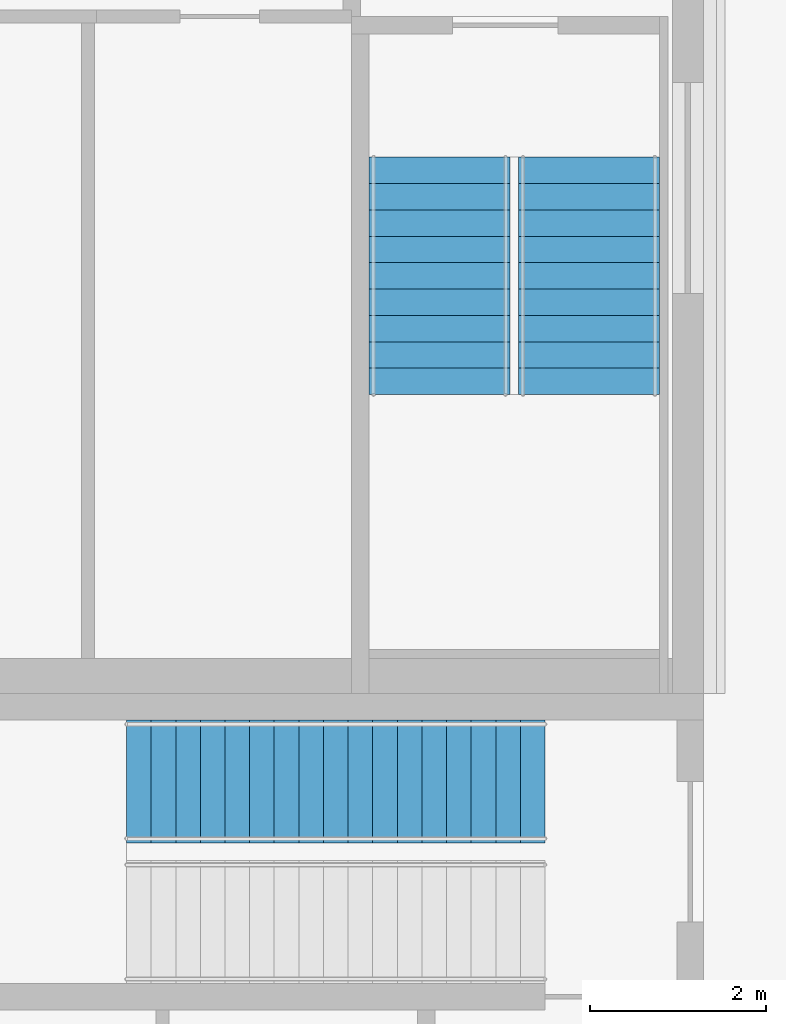
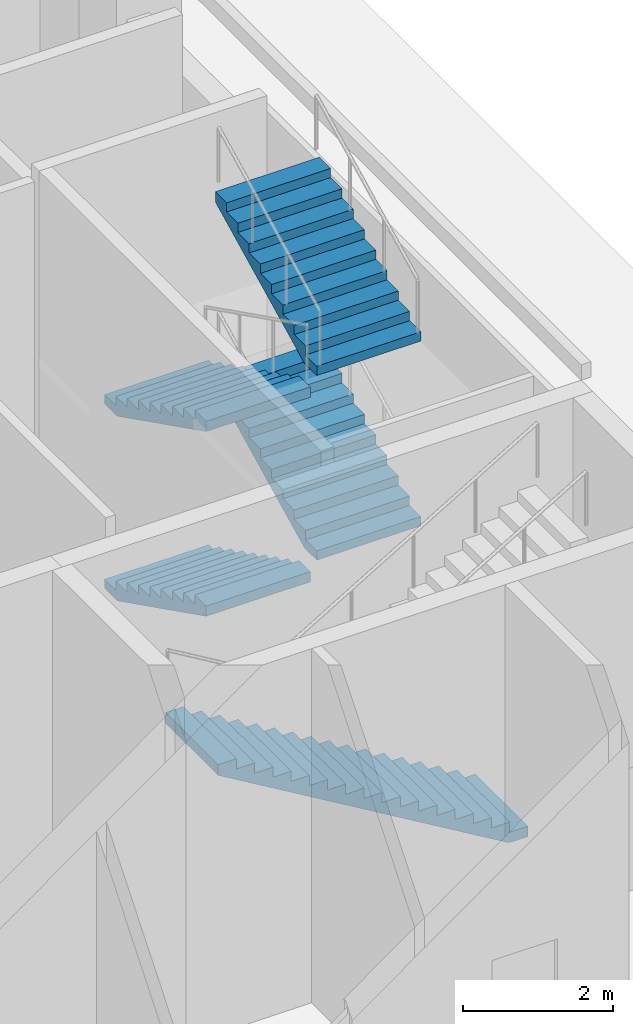
# One storey, part 52 of 59: 5 stair flights, 2 elements without a shape of their own.
"""IFC4 building model written with IfcOpenShell, lengths in metres."""

from ifc_helpers import new_model, si_unit, direction, frame, origin, place, context, subcontext, project, spatial, polyline, outline, extrude, material, type_object, element, aggregate, save


model = new_model("IFC4")

# Units and contexts
model_context = context("Model", 3, precision=1e-05, world=origin(), true_north=direction((0.0, 1.0)))
body_context = subcontext(model_context, "Body", "Model", "MODEL_VIEW")
ifc_project = project(units=[si_unit("LENGTHUNIT", "METRE"), si_unit("AREAUNIT", "SQUARE_METRE"), si_unit("VOLUMEUNIT", "CUBIC_METRE"), si_unit("PLANEANGLEUNIT", "RADIAN"), si_unit("MASSUNIT", "GRAM", prefix="KILO")], contexts=[model_context])

# Site, building, storey
site_placement = place(None, origin())
site = spatial("IfcSite", under=ifc_project, at=site_placement, CompositionType="ELEMENT")
building_placement = place(site_placement, origin())
building = spatial("IfcBuilding", under=site, at=building_placement, Name="Lilac Gate Convention Centre", CompositionType="ELEMENT")
storey_placement = place(building_placement, origin())
storey = spatial("IfcBuildingStorey", under=building, at=storey_placement, Name="L00", CompositionType="ELEMENT", Elevation=0.0)

# Stair, stair flights
ifc_material = material(Name="Concrete C40", Category="concrete")
stair_type_1 = type_object("IfcStairType", Name="Exit stair", PredefinedType="DOUBLE_RETURN_STAIR", material=ifc_material)
stair_1_placement = place(storey_placement, origin())
stair_1 = element("IfcStair", 1, at=stair_1_placement, inside=storey, type_object=stair_type_1, Name="Exit stair SE L00", PredefinedType="DOUBLE_RETURN_STAIR")
stair_flight_type_1 = type_object("IfcStairFlightType", Name="Exit stair flight", PredefinedType="STRAIGHT", material=ifc_material)
stair_flight_1_placement = place(storey_placement, frame((87.0, 228.10009765625, 0.0), z_axis=(0.0, 0.0, 1.0), x_axis=(0.0, -1.0, 0.0)))
stair_flight_1 = element("IfcStairFlight", 2, at=stair_flight_1_placement, type_object=stair_flight_type_1, Name="ST-SE flight 1", NumberOfRisers=10, NumberOfTreads=9, PredefinedType="STRAIGHT", RiserHeight=0.15, TreadLength=0.3, context=body_context, shape_type="SweptSolid", body=[
    extrude(outline(polyline([(0.0, 0.0), (0.0, 0.14990234375), (0.300048828125, 0.14990234375), (0.300048828125, 0.300048828125), (0.60009765625, 0.300048828125), (0.60009765625, 0.449951171875), (0.89990234375, 0.449951171875), (0.89990234375, 0.60009765625), (1.199951171875, 0.60009765625), (1.199951171875, 0.75), (1.5, 0.75), (1.5, 0.89990234375), (1.800048828125, 0.89990234375), (1.800048828125, 1.050048828125), (2.10009765625, 1.050048828125), (2.10009765625, 1.199951171875), (2.39990234375, 1.199951171875), (2.39990234375, 1.35009765625), (2.699951171875, 1.35009765625), (2.699951171875, 1.5), (2.699951171875, 1.182373046875), (0.335205078125, 0.0), (0.0, 0.0)])), frame((0.0, 0.800048828125, 0.0), z_axis=(0.0, -1.0, 0.0), x_axis=(1.0, 0.0, 0.0)), (0.0, 0.0, 1.0), 1.60009765625),
])
stair_flight_2_placement = place(storey_placement, frame((88.699951171875, 225.39990234375, 1.5), z_axis=(0.0, 0.0, 1.0), x_axis=(0.0, 1.0, 0.0)))
stair_flight_2 = element("IfcStairFlight", 3, at=stair_flight_2_placement, type_object=stair_flight_type_1, Name="ST-SE flight 2", NumberOfRisers=10, NumberOfTreads=9, PredefinedType="STRAIGHT", RiserHeight=0.15, TreadLength=0.3, context=body_context, shape_type="SweptSolid", body=[
    extrude(outline(polyline([(0.0, 0.0), (0.0, 0.14990234375), (0.300048828125, 0.14990234375), (0.300048828125, 0.300048828125), (0.60009765625, 0.300048828125), (0.60009765625, 0.449951171875), (0.89990234375, 0.449951171875), (0.89990234375, 0.60009765625), (1.199951171875, 0.60009765625), (1.199951171875, 0.75), (1.5, 0.75), (1.5, 0.89990234375), (1.800048828125, 0.89990234375), (1.800048828125, 1.050048828125), (2.10009765625, 1.050048828125), (2.10009765625, 1.199951171875), (2.39990234375, 1.199951171875), (2.39990234375, 1.35009765625), (2.699951171875, 1.35009765625), (2.699951171875, 1.5), (2.699951171875, 1.182373046875), (0.335205078125, 0.0), (0.0, 0.0)])), frame((0.0, 0.800048828125, 0.0), z_axis=(0.0, -1.0, 0.0), x_axis=(1.0, 0.0, 0.0)), (0.0, 0.0, 1.0), 1.60009765625),
])
stair_flight_3_placement = place(storey_placement, frame((87.0, 228.10009765625, 3.0), z_axis=(0.0, 0.0, 1.0), x_axis=(0.0, -1.0, 0.0)))
stair_flight_3 = element("IfcStairFlight", 4, at=stair_flight_3_placement, type_object=stair_flight_type_1, Name="ST-SE flight 3", NumberOfRisers=10, NumberOfTreads=9, PredefinedType="STRAIGHT", RiserHeight=0.15, TreadLength=0.3, context=body_context, shape_type="SweptSolid", body=[
    extrude(outline(polyline([(0.0, 0.0), (0.0, 0.14990234375), (0.300048828125, 0.14990234375), (0.300048828125, 0.300048828125), (0.60009765625, 0.300048828125), (0.60009765625, 0.449951171875), (0.89990234375, 0.449951171875), (0.89990234375, 0.60009765625), (1.199951171875, 0.60009765625), (1.199951171875, 0.75), (1.5, 0.75), (1.5, 0.89990234375), (1.800048828125, 0.89990234375), (1.800048828125, 1.050048828125), (2.10009765625, 1.050048828125), (2.10009765625, 1.199951171875), (2.39990234375, 1.199951171875), (2.39990234375, 1.35009765625), (2.699951171875, 1.35009765625), (2.699951171875, 1.5), (2.699951171875, 1.182373046875), (0.335205078125, 0.0), (0.0, 0.0)])), frame((0.0, 0.800048828125, 0.0), z_axis=(0.0, -1.0, 0.0), x_axis=(1.0, 0.0, 0.0)), (0.0, 0.0, 1.0), 1.60009765625),
])
stair_flight_4_placement = place(storey_placement, frame((88.699951171875, 225.39990234375, 4.5), z_axis=(0.0, 0.0, 1.0), x_axis=(0.0, 1.0, 0.0)))
stair_flight_4 = element("IfcStairFlight", 5, at=stair_flight_4_placement, type_object=stair_flight_type_1, Name="ST-SE flight 4", NumberOfRisers=10, NumberOfTreads=9, PredefinedType="STRAIGHT", RiserHeight=0.15, TreadLength=0.3, context=body_context, shape_type="SweptSolid", body=[
    extrude(outline(polyline([(0.0, 0.0), (0.0, 0.14990234375), (0.300048828125, 0.14990234375), (0.300048828125, 0.300048828125), (0.60009765625, 0.300048828125), (0.60009765625, 0.449951171875), (0.89990234375, 0.449951171875), (0.89990234375, 0.60009765625), (1.199951171875, 0.60009765625), (1.199951171875, 0.75), (1.5, 0.75), (1.5, 0.89990234375), (1.800048828125, 0.89990234375), (1.800048828125, 1.050048828125), (2.10009765625, 1.050048828125), (2.10009765625, 1.199951171875), (2.39990234375, 1.199951171875), (2.39990234375, 1.35009765625), (2.699951171875, 1.35009765625), (2.699951171875, 1.5), (2.699951171875, 1.182373046875), (0.335205078125, 0.0), (0.0, 0.0)])), frame((0.0, 0.800048828125, 0.0), z_axis=(0.0, -1.0, 0.0), x_axis=(1.0, 0.0, 0.0)), (0.0, 0.0, 1.0), 1.60009765625),
])
aggregate(stair_1, [stair_flight_1, stair_flight_2, stair_flight_3, stair_flight_4])

# Stair, stair flight
stair_type_2 = type_object("IfcStairType", Name="Exit stair two flights", PredefinedType="HALF_TURN_STAIR", material=ifc_material)
stair_2_placement = place(storey_placement, origin())
stair_2 = element("IfcStair", 6, at=stair_2_placement, inside=storey, type_object=stair_type_2, Name="Exit stair E4B L00 to L01", PredefinedType="HALF_TURN_STAIR")
stair_flight_type_2 = type_object("IfcStairFlightType", Name="Stair flight 1400 precast", PredefinedType="STRAIGHT", material=ifc_material)
stair_flight_5_placement = place(storey_placement, frame((88.199951171875, 221.0, 0.0), z_axis=(0.0, 0.0, 1.0), x_axis=(-1.0, 0.0, 0.0)))
stair_flight_5 = element("IfcStairFlight", 7, at=stair_flight_5_placement, type_object=stair_flight_type_2, Name="ST36 flight 1", NumberOfRisers=18, NumberOfTreads=17, PredefinedType="STRAIGHT", RiserHeight=0.166666667, TreadLength=0.28, context=body_context, shape_type="SweptSolid", body=[
    extrude(outline(polyline([(0.0, 0.0), (0.0, 0.166748046875), (0.280029296875, 0.166748046875), (0.280029296875, 0.333251953125), (0.56005859375, 0.333251953125), (0.56005859375, 0.5), (0.840087890625, 0.5), (0.840087890625, 0.666748046875), (1.1201171875, 0.666748046875), (1.1201171875, 0.833251953125), (1.39990234375, 0.833251953125), (1.39990234375, 1.0), (1.679931640625, 1.0), (1.679931640625, 1.166748046875), (1.9599609375, 1.166748046875), (1.9599609375, 1.333251953125), (2.239990234375, 1.333251953125), (2.239990234375, 1.5), (2.52001953125, 1.5), (2.52001953125, 1.666748046875), (2.800048828125, 1.666748046875), (2.800048828125, 1.833251953125), (3.080078125, 1.833251953125), (3.080078125, 2.0), (3.360107421875, 2.0), (3.360107421875, 2.166748046875), (3.639892578125, 2.166748046875), (3.639892578125, 2.333251953125), (3.919921875, 2.333251953125), (3.919921875, 2.5), (4.199951171875, 2.5), (4.199951171875, 2.666748046875), (4.47998046875, 2.666748046875), (4.47998046875, 2.833251953125), (4.760009765625, 2.833251953125), (4.760009765625, 3.0), (4.760009765625, 2.658935546875), (0.29296875, 0.0), (0.0, 0.0)])), frame((0.0, 0.699951171875, 0.0), z_axis=(0.0, -1.0, 0.0), x_axis=(1.0, 0.0, 0.0)), (0.0, 0.0, 1.0), 1.39990234375),
])
aggregate(stair_2, [stair_flight_5])

save(model, "model.ifc")
